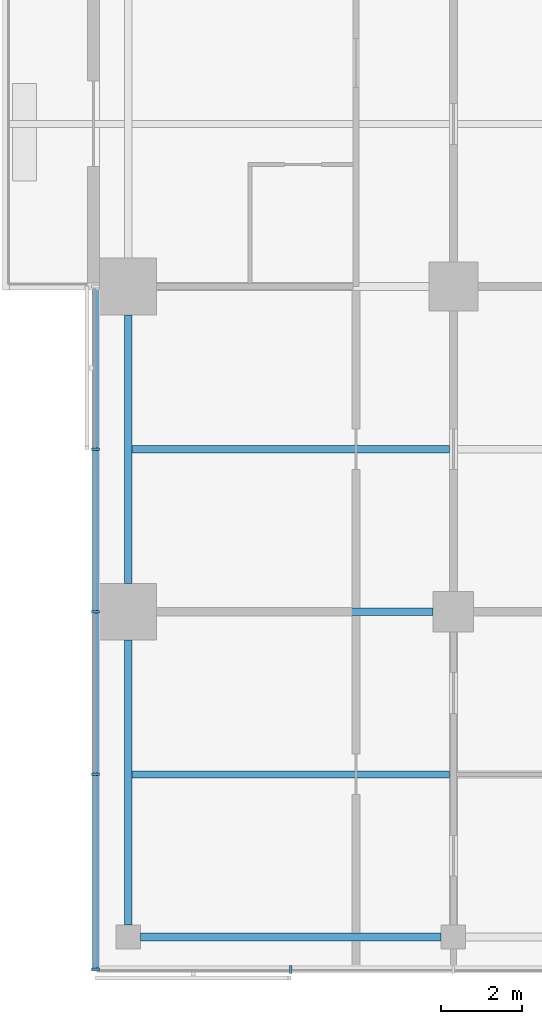
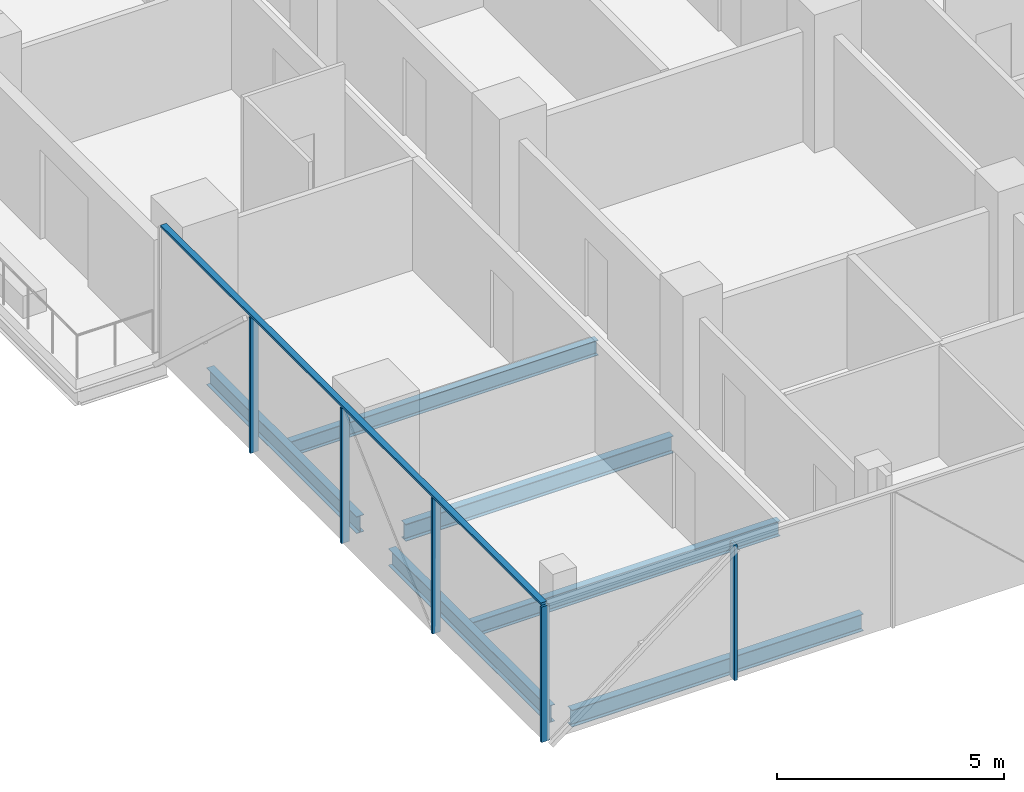
# One storey, part 2 of 27: 6 beams, 6 members, 2 elements without a shape of their own.
"""IFC4 building model written with IfcOpenShell, lengths in metres."""

from ifc_helpers import new_model, si_unit, direction, frame, origin, origin_2d, place, context, subcontext, project, spatial, rectangle, i_section, extrude, material, material_profile, profile_set, type_object, element, aggregate, save


model = new_model("IFC4")

# Units and contexts
model_context = context("Model", 3, precision=1e-05, world=origin(), true_north=direction((0.0, 1.0)))
body_context = subcontext(model_context, "Body", "Model", "MODEL_VIEW")
ifc_project = project(units=[si_unit("LENGTHUNIT", "METRE"), si_unit("AREAUNIT", "SQUARE_METRE"), si_unit("VOLUMEUNIT", "CUBIC_METRE"), si_unit("PLANEANGLEUNIT", "RADIAN"), si_unit("MASSUNIT", "GRAM", prefix="KILO")], contexts=[model_context])

# Site, building, storey
site_placement = place(None, origin())
site = spatial("IfcSite", under=ifc_project, at=site_placement, CompositionType="ELEMENT")
building_placement = place(site_placement, origin())
building = spatial("IfcBuilding", under=site, at=building_placement, Name="Crosswind Convention Tower", CompositionType="ELEMENT")
storey_placement = place(building_placement, frame((0.0, 0.0, 94.199951171875)))
storey = spatial("IfcBuildingStorey", under=building, at=storey_placement, Name="L18", CompositionType="ELEMENT", Elevation=94.199951171875)

# Beams
ifc_material_1 = material(Name="Steel S355", Category="steel")
ifc_material_profile_1 = material_profile(ifc_material_1, i_section(OverallWidth=0.1904296875, OverallDepth=0.457275390625, WebThickness=0.009033203125, FlangeThickness=0.014404296875, FilletRadius=0.01025390625, at=origin_2d()), Name="UB 457x191x75")
ifc_profile_set_1 = profile_set([ifc_material_profile_1], Name="Steel S355")
beam_type_1 = type_object("IfcBeamType", Name="Edge beam UB 457x191x75", PredefinedType="SPANDREL", material=ifc_profile_set_1)
beam_1_placement = place(storey_placement, frame((113.0, 64.300048828125, -0.508544921875), z_axis=(0.0, 1.0, 0.0), x_axis=(-1.0, 0.0, 0.0)))
element("IfcBeam", 1, at=beam_1_placement, inside=storey, type_object=beam_type_1, Name="B17 L18 edge beam 6", PredefinedType="SPANDREL", context=body_context, shape_type="SweptSolid", body=[
    extrude(i_section(OverallWidth=0.1904296875, OverallDepth=0.457275390625, WebThickness=0.009033203125, FlangeThickness=0.014404296875, FilletRadius=0.01025390625, at=origin_2d()), origin(), (0.0, 0.0, 1.0), 7.0),
])
beam_2_placement = place(storey_placement, frame((113.0, 72.699951171875, -0.508544921875), z_axis=(0.0, 1.0, 0.0), x_axis=(-1.0, 0.0, 0.0)))
element("IfcBeam", 2, at=beam_2_placement, inside=storey, type_object=beam_type_1, Name="B17 L18 edge beam 7", PredefinedType="SPANDREL", context=body_context, shape_type="SweptSolid", body=[
    extrude(i_section(OverallWidth=0.1904296875, OverallDepth=0.457275390625, WebThickness=0.009033203125, FlangeThickness=0.014404296875, FilletRadius=0.01025390625, at=origin_2d()), origin(), (0.0, 0.0, 1.0), 6.60009765625),
])
beam_3_placement = place(storey_placement, frame((113.300048828125, 64.0, -0.508544921875), z_axis=(1.0, 0.0, 0.0), x_axis=(0.0, 1.0, 0.0)))
element("IfcBeam", 3, at=beam_3_placement, inside=storey, type_object=beam_type_1, Name="B17 L18 edge beam 12", PredefinedType="SPANDREL", context=body_context, shape_type="SweptSolid", body=[
    extrude(i_section(OverallWidth=0.1904296875, OverallDepth=0.457275390625, WebThickness=0.009033203125, FlangeThickness=0.014404296875, FilletRadius=0.01025390625, at=origin_2d()), origin(), (0.0, 0.0, 1.0), 7.39990234375),
])
ifc_material_profile_2 = material_profile(ifc_material_1, i_section(OverallWidth=0.19140625, OverallDepth=0.460205078125, WebThickness=0.010009765625, FlangeThickness=0.01611328125, FilletRadius=0.01025390625, at=origin_2d()), Name="UB 457x191x82")
ifc_profile_set_2 = profile_set([ifc_material_profile_2], Name="Steel S355")
beam_type_2 = type_object("IfcBeamType", Name="Girder UB 457x191x82", PredefinedType="BEAM", material=ifc_profile_set_2)
beam_4_placement = place(storey_placement, frame((113.699951171875, 72.0, -0.510009765625), z_axis=(1.0, 0.0, 0.0), x_axis=(0.0, 1.0, 0.0)))
element("IfcBeam", 4, at=beam_4_placement, inside=storey, type_object=beam_type_2, Name="B3 L18 girder 1", PredefinedType="BEAM", context=body_context, shape_type="SweptSolid", body=[
    extrude(i_section(OverallWidth=0.19140625, OverallDepth=0.460205078125, WebThickness=0.010009765625, FlangeThickness=0.01611328125, FilletRadius=0.01025390625, at=origin_2d()), origin(), (0.0, 0.0, 1.0), 6.800048828125),
])

# Curtain wall, members
ifc_material_2 = material(Name="Aluminium unitised curtain wall", Category="aluminium")
curtain_wall_type = type_object("IfcCurtainWallType", Name="HOTEL UNITISED WALL 200", PredefinedType="USERDEFINED", material=ifc_material_2)
curtain_wall_1_placement = place(storey_placement, origin())
curtain_wall_1 = element("IfcCurtainWall", 5, at=curtain_wall_1_placement, inside=storey, type_object=curtain_wall_type, Name="CW2 L18 S-W 1", ObjectType="UNITISED", PredefinedType="USERDEFINED")
ifc_material_3 = material(Name="Aluminium mullion", Category="aluminium")
ifc_material_profile_3 = material_profile(ifc_material_3, rectangle(XDim=0.199951171875, YDim=0.06494140625, at=origin_2d()), Name="AL 200X65")
ifc_profile_set_3 = profile_set([ifc_material_profile_3], Name="Aluminium mullion")
member_type_1 = type_object("IfcMemberType", Name="MULLION 65X200", PredefinedType="MULLION", material=ifc_profile_set_3)
member_1_placement = place(storey_placement, frame((112.199951171875, 76.0, -0.280029296875), z_axis=(0.0, 0.0, 1.0), x_axis=(-1.0, 0.0, 0.0)))
member_1 = element("IfcMember", 6, at=member_1_placement, type_object=member_type_1, Name="CW2 mullion 2", PredefinedType="MULLION", context=body_context, shape_type="SweptSolid", body=[
    extrude(rectangle(XDim=0.199951171875, YDim=0.06494140625, at=origin_2d()), origin(), (0.0, 0.0, 1.0), 3.635009765625),
])
member_2_placement = place(storey_placement, frame((112.199951171875, 72.0, -0.280029296875), z_axis=(0.0, 0.0, 1.0), x_axis=(-1.0, 0.0, 0.0)))
member_2 = element("IfcMember", 7, at=member_2_placement, type_object=member_type_1, Name="CW2 mullion 3", PredefinedType="MULLION", context=body_context, shape_type="SweptSolid", body=[
    extrude(rectangle(XDim=0.199951171875, YDim=0.06494140625, at=origin_2d()), origin(), (0.0, 0.0, 1.0), 3.635009765625),
])
member_3_placement = place(storey_placement, frame((112.199951171875, 68.0, -0.280029296875), z_axis=(0.0, 0.0, 1.0), x_axis=(-1.0, 0.0, 0.0)))
member_3 = element("IfcMember", 8, at=member_3_placement, type_object=member_type_1, Name="CW2 mullion 4", PredefinedType="MULLION", context=body_context, shape_type="SweptSolid", body=[
    extrude(rectangle(XDim=0.199951171875, YDim=0.06494140625, at=origin_2d()), origin(), (0.0, 0.0, 1.0), 3.635009765625),
])
member_4_placement = place(storey_placement, frame((112.199951171875, 63.199951171875, -0.280029296875), z_axis=(0.0, 0.0, 1.0), x_axis=(-1.0, 0.0, 0.0)))
member_4 = element("IfcMember", 9, at=member_4_placement, type_object=member_type_1, Name="CW2 mullion 5", PredefinedType="MULLION", context=body_context, shape_type="SweptSolid", body=[
    extrude(rectangle(XDim=0.199951171875, YDim=0.06494140625, at=origin_2d()), origin(), (0.0, 0.0, 1.0), 3.635009765625),
])

# Curtain wall, member
curtain_wall_2_placement = place(storey_placement, origin())
curtain_wall_2 = element("IfcCurtainWall", 10, at=curtain_wall_2_placement, inside=storey, type_object=curtain_wall_type, Name="CW2 L18 S-TIP 1", ObjectType="UNITISED", PredefinedType="USERDEFINED")
member_5_placement = place(storey_placement, frame((117.0, 63.199951171875, -0.280029296875), z_axis=(0.0, 0.0, 1.0), x_axis=(0.0, -1.0, 0.0)))
member_5 = element("IfcMember", 11, at=member_5_placement, type_object=member_type_1, Name="CW2 mullion 2", PredefinedType="MULLION", context=body_context, shape_type="SweptSolid", body=[
    extrude(rectangle(XDim=0.199951171875, YDim=0.06494140625, at=origin_2d()), origin(), (0.0, 0.0, 1.0), 3.635009765625),
])
aggregate(curtain_wall_2, [member_5])

# Beams
ifc_material_profile_4 = material_profile(ifc_material_1, i_section(OverallWidth=0.177734375, OverallDepth=0.406494140625, WebThickness=0.0078125, FlangeThickness=0.0126953125, FilletRadius=0.01025390625, at=origin_2d()), Name="UB 406x178x60")
ifc_profile_set_4 = profile_set([ifc_material_profile_4], Name="Steel S355")
beam_type_3 = type_object("IfcBeamType", Name="Secondary beam UB 406x178x60", PredefinedType="JOIST", material=ifc_profile_set_4)
for number, where, z_axis, x_axis, name in (
    (12, (113.09521484375, 68.0, -0.483154296875), (1.0, 0.0, 0.0), (0.0, 1.0, 0.0), "B10 L18 secondary beam 7"),
    (13, (113.09521484375, 76.0, -0.483154296875), (1.0, 0.0, 0.0), (0.0, 1.0, 0.0), "B10 L18 secondary beam 8"),
):
    element("IfcBeam", number, at=place(storey_placement, frame(where, z_axis=z_axis, x_axis=x_axis)), inside=storey, type_object=beam_type_3, Name=name, PredefinedType="JOIST", context=body_context, shape_type="SweptSolid", body=[
        extrude(i_section(OverallWidth=0.177734375, OverallDepth=0.406494140625, WebThickness=0.0078125, FlangeThickness=0.0126953125, FilletRadius=0.01025390625, at=origin_2d()), origin(), (0.0, 0.0, 1.0), 7.80908203125),
    ])

# Member
ifc_material_4 = material(Name="Aluminium transom", Category="aluminium")
ifc_material_profile_5 = material_profile(ifc_material_4, rectangle(XDim=0.14990234375, YDim=0.06494140625, at=origin_2d()), Name="AL 150X65")
ifc_profile_set_5 = profile_set([ifc_material_profile_5], Name="Aluminium transom")
member_type_2 = type_object("IfcMemberType", Name="TRANSOM 65X150", PredefinedType="USERDEFINED", material=ifc_profile_set_5)
member_6_placement = place(storey_placement, frame((112.199951171875, 79.967529296875, 3.387451171875), z_axis=(0.0, -1.0, 0.0), x_axis=(1.0, 0.0, 0.0)))
member_6 = element("IfcMember", 14, at=member_6_placement, type_object=member_type_2, Name="CW2 transom", ObjectType="TRANSOM", PredefinedType="USERDEFINED", context=body_context, shape_type="SweptSolid", body=[
    extrude(rectangle(XDim=0.14990234375, YDim=0.06494140625, at=origin_2d()), origin(), (0.0, 0.0, 1.0), 16.735107421875),
])

aggregate(curtain_wall_1, [member_1, member_2, member_3, member_4, member_6])

save(model, "model.ifc")
